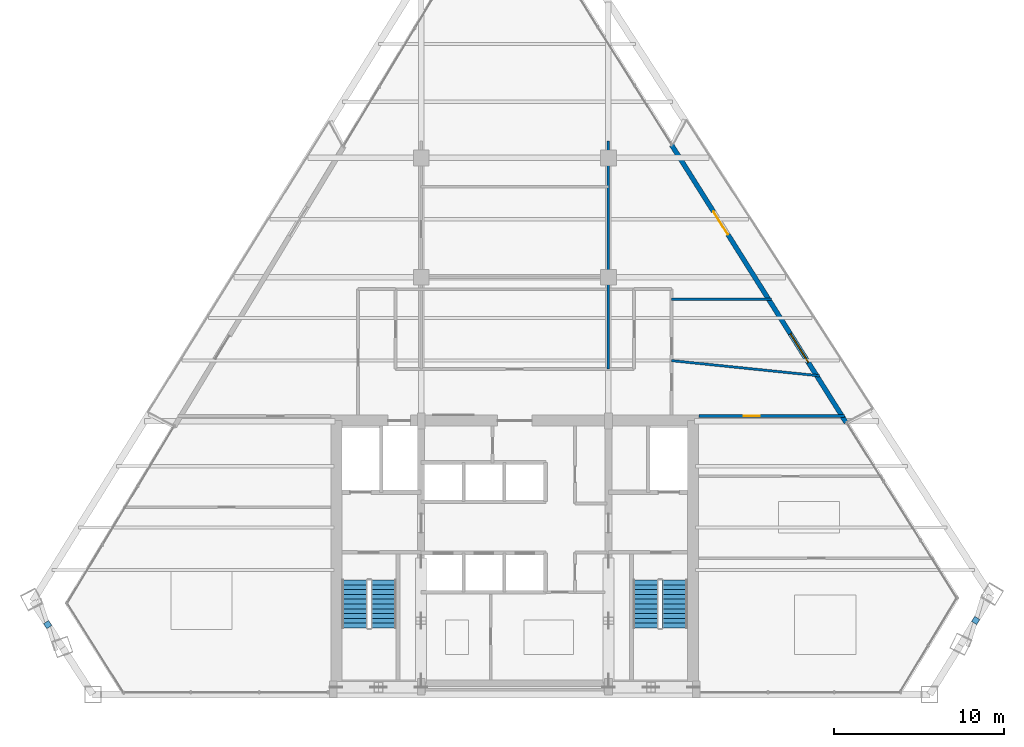
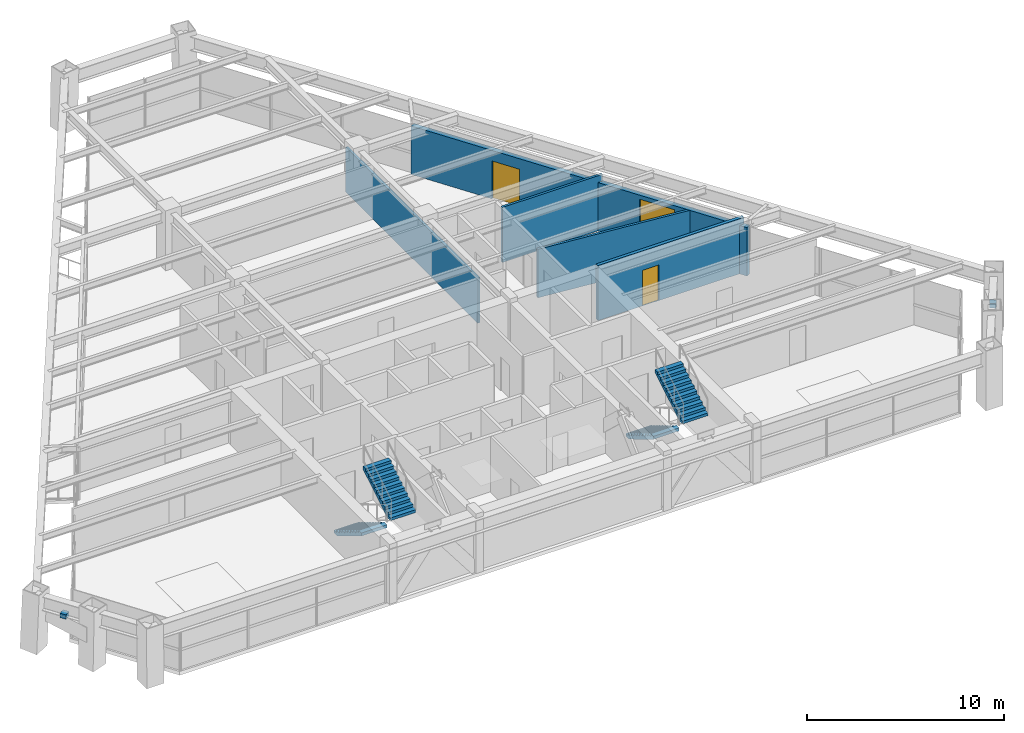
# One storey, part 10 of 12: 5 walls, 4 stair flights, 2 discrete accessories, 2 doors, 1 window, 3 openings, 2 elements without a shape of their own.
"""IFC4 building model written with IfcOpenShell, lengths in metres."""

from ifc_helpers import new_model, si_unit, direction, frame, frame_2d, origin, origin_2d, place, context, subcontext, project, spatial, polyline, rectangle, outline, extrude, source, transform, mapped, material, layer, layer_set, type_object, type_shapes, element, fill, aggregate, save


model = new_model("IFC4")

# Units and contexts
model_context = context("Model", 3, precision=1e-05, world=origin(), true_north=direction((0.0, 1.0)))
body_context = subcontext(model_context, "Body", "Model", "MODEL_VIEW")
ifc_project = project(units=[si_unit("LENGTHUNIT", "METRE"), si_unit("AREAUNIT", "SQUARE_METRE"), si_unit("VOLUMEUNIT", "CUBIC_METRE"), si_unit("PLANEANGLEUNIT", "RADIAN"), si_unit("MASSUNIT", "GRAM", prefix="KILO")], contexts=[model_context])

# Site, building, storey
site_placement = place(None, origin())
site = spatial("IfcSite", under=ifc_project, at=site_placement, CompositionType="ELEMENT")
building_placement = place(site_placement, origin())
building = spatial("IfcBuilding", under=site, at=building_placement, Name="Varnakhor Terracotta Tower", CompositionType="ELEMENT")
storey_placement = place(building_placement, frame((0.0, 0.0, 211.699951171875)))
storey = spatial("IfcBuildingStorey", under=building, at=storey_placement, Name="L54", CompositionType="ELEMENT", Elevation=211.699951171875)

# Wall, opening, door
ifc_material_1 = material(Name="Fire-Rated Gypsum Stud Partition", Category="gypsum")
ifc_layer_1 = layer(ifc_material_1, 0.18505859375, Name="Fire-Rated Gypsum Stud Partition")
ifc_layer_set_1 = layer_set([ifc_layer_1], Name="Fire-Rated Gypsum Stud Partition")
wall_type_1 = type_object("IfcWallType", Name="WAL-CORR-185", PredefinedType="PARTITIONING", material=ifc_layer_set_1)
wall_1_placement = place(storey_placement, frame((10.820068359375, 16.35009765625, 0.0), z_axis=(0.0, 0.0, 1.0), x_axis=(1.0, 0.0, 0.0)))
wall_1 = element("IfcWall", 1, at=wall_1_placement, inside=storey, type_object=wall_type_1, Name="L54 South East Entry Wall", PredefinedType="PARTITIONING", context=body_context, shape_type="SweptSolid", body=[
    extrude(rectangle(XDim=8.548828125, YDim=0.18505859375, at=frame_2d((4.2744140625, 0.0))), origin(), (0.0, 0.0, 1.0), 3.412109375),
])
opening_1_placement = place(wall_1_placement, frame((2.619140625, 0.0, 0.0)))
opening_1 = element("IfcOpeningElement", 2, at=opening_1_placement, cuts=wall_1, Name="Opening DR-94", PredefinedType="OPENING", context=body_context, shape_type="SweptSolid", body=[
    extrude(rectangle(XDim=0.949951171875, YDim=2.199951171875, at=frame_2d((0.47509765625, 1.10009765625))), frame((0.0, 0.1025390625, 0.0), z_axis=(0.0, -1.0, 0.0), x_axis=(1.0, 0.0, 0.0)), (0.0, 0.0, 1.0), 0.205078125),
])
ifc_material_2 = material(Name="Acoustic Glazed-Vision Timber Office Door", Category="wood")
door_type_1 = type_object("IfcDoorType", Name="DR-OFF-950X2200", OperationType="NOTDEFINED", PredefinedType="DOOR", material=ifc_material_2)
shared_shape_1 = source(origin(), body_context, "Body", "SweptSolid", [
    extrude(rectangle(XDim=0.949951171875, YDim=2.199951171875, at=frame_2d((0.47509765625, 1.10009765625))), frame((0.0, 0.02490234375, 0.0), z_axis=(0.0, -1.0, 0.0), x_axis=(1.0, 0.0, 0.0)), (0.0, 0.0, 1.0), 0.050048828125),
])
type_shapes(door_type_1, [shared_shape_1])
door_1_placement = place(opening_1_placement, origin())
door_1 = element("IfcDoor", 3, at=door_1_placement, inside=storey, type_object=door_type_1, Name="L54 SE Suite Door", OperationType="SINGLE_SWING_RIGHT", OverallHeight=2.199951171875, OverallWidth=0.949951171875, PredefinedType="DOOR", context=body_context, shape_type="MappedRepresentation", body=[
    mapped(shared_shape_1, transform((0.0, 0.0, 0.0), scale=1.0)),
])
fill(opening_1, door_1)

# Wall, openings, door, window
ifc_material_3 = material(Name="Extruded Architectural Terracotta Assembly", Category="masonry")
ifc_layer_2 = layer(ifc_material_3, 0.280029296875, Name="Extruded Architectural Terracotta Assembly")
ifc_layer_set_2 = layer_set([ifc_layer_2], Name="Extruded Architectural Terracotta Assembly")
wall_type_2 = type_object("IfcWallType", Name="WAL-EXT-TERRACOTTA-280", PredefinedType="SOLIDWALL", material=ifc_layer_set_2)
wall_2_placement = place(storey_placement, frame((9.20849609375, 32.264892578125, 0.0), z_axis=(0.0, 0.0, 1.0), x_axis=(0.532287601055, -0.84656358873, 0.0)))
wall_2 = element("IfcWall", 4, at=wall_2_placement, inside=storey, type_object=wall_type_2, Name="L54 E Loggia Insulated Terracotta Wall", PredefinedType="SOLIDWALL", context=body_context, shape_type="SweptSolid", body=[
    extrude(rectangle(XDim=19.257080078125, YDim=0.280029296875, at=frame_2d((9.62841796875, 0.0))), origin(), (0.0, 0.0, 1.0), 3.0),
])
opening_2_placement = place(wall_2_placement, frame((4.62158203125, 0.0, 0.0)))
opening_2 = element("IfcOpeningElement", 5, at=opening_2_placement, cuts=wall_2, Name="Opening DR-62", PredefinedType="OPENING", context=body_context, shape_type="SweptSolid", body=[
    extrude(rectangle(XDim=1.60009765625, YDim=2.35009765625, at=frame_2d((0.800048828125, 1.175048828125))), frame((0.0, 0.14990234375, 0.0), z_axis=(0.0, -1.0, 0.0), x_axis=(1.0, 0.0, 0.0)), (0.0, 0.0, 1.0), 0.300048828125),
])
opening_3_placement = place(wall_2_placement, frame((13.0947265625, 0.0, 0.89990234375)))
opening_3 = element("IfcOpeningElement", 6, at=opening_3_placement, cuts=wall_2, Name="Opening WN-26", PredefinedType="OPENING", context=body_context, shape_type="SweptSolid", body=[
    extrude(rectangle(XDim=2.0, YDim=1.85009765625, at=frame_2d((1.0, 0.925048828125))), frame((0.0, 0.14990234375, 0.0), z_axis=(0.0, -1.0, 0.0), x_axis=(1.0, 0.0, 0.0)), (0.0, 0.0, 1.0), 0.300048828125),
])
ifc_material_4 = material(Name="Thermally Broken Sliding Glass Loggia Door", Category="glass")
door_type_2 = type_object("IfcDoorType", Name="DR-EXT-LOGGIA-1600X2350", OperationType="NOTDEFINED", PredefinedType="DOOR", material=ifc_material_4)
shared_shape_2 = source(origin(), body_context, "Body", "SweptSolid", [
    extrude(rectangle(XDim=1.60009765625, YDim=2.35009765625, at=frame_2d((0.800048828125, 1.175048828125))), frame((0.0, 0.02490234375, 0.0), z_axis=(0.0, -1.0, 0.0), x_axis=(1.0, 0.0, 0.0)), (0.0, 0.0, 1.0), 0.050048828125),
])
type_shapes(door_type_2, [shared_shape_2])
door_2_placement = place(opening_2_placement, origin())
door_2 = element("IfcDoor", 7, at=door_2_placement, inside=storey, type_object=door_type_2, Name="L54 E Recessed Loggia Sliding Door", OperationType="SLIDING_TO_RIGHT", OverallHeight=2.35009765625, OverallWidth=1.60009765625, PredefinedType="DOOR", context=body_context, shape_type="MappedRepresentation", body=[
    mapped(shared_shape_2, transform((0.0, 0.0, 0.0), scale=1.0)),
])
fill(opening_2, door_2)
ifc_material_5 = material(Name="Solar-Control Low-E Insulated Glass Unit", Category="glass")
window_type = type_object("IfcWindowType", Name="WIN-OFF-2200X2100", PartitioningType="SINGLE_PANEL", PredefinedType="WINDOW", material=ifc_material_5)
shared_shape_3 = source(origin(), body_context, "Body", "SweptSolid", [
    extrude(rectangle(XDim=2.0, YDim=1.85009765625, at=frame_2d((1.0, 0.925048828125))), frame((0.0, 0.030029296875, 0.0), z_axis=(0.0, -1.0, 0.0), x_axis=(1.0, 0.0, 0.0)), (0.0, 0.0, 1.0), 0.06005859375),
])
type_shapes(window_type, [shared_shape_3])
window_placement = place(opening_3_placement, origin())
window = element("IfcWindow", 8, at=window_placement, inside=storey, type_object=window_type, Name="L54 E Facet Punched Window", OverallHeight=1.85009765625, OverallWidth=2.0, PartitioningType="SINGLE_PANEL", PredefinedType="WINDOW", context=body_context, shape_type="MappedRepresentation", body=[
    mapped(shared_shape_3, transform((0.0, 0.0, 0.0), scale=1.0)),
])
fill(opening_3, window)

# Walls
ifc_material_6 = material(Name="Acoustic Metal-Stud Partition", Category="gypsum")
ifc_layer_3 = layer(ifc_material_6, 0.139892578125, Name="Acoustic Metal-Stud Partition")
ifc_layer_set_3 = layer_set([ifc_layer_3], Name="Acoustic Metal-Stud Partition")
wall_type_3 = type_object("IfcWallType", Name="WAL-PART-140", PredefinedType="PARTITIONING", material=ifc_layer_set_3)
wall_3_placement = place(storey_placement, frame((5.5, 19.10009765625, 0.0), z_axis=(0.0, 0.0, 1.0), x_axis=(0.0, 1.0, 0.0)))
element("IfcWall", 9, at=wall_3_placement, inside=storey, type_object=wall_type_3, Name="L54 Center East Column Wall", PredefinedType="PARTITIONING", context=body_context, shape_type="SweptSolid", body=[
    extrude(rectangle(XDim=13.39990234375, YDim=0.139892578125, at=frame_2d((6.699951171875, 0.0))), origin(), (0.0, 0.0, 1.0), 2.796142578125),
])
wall_4_placement = place(storey_placement, frame((9.199951171875, 19.60009765625, 0.0), z_axis=(0.0, 0.0, 1.0), x_axis=(0.994778090634, -0.102061503002, 0.0)))
element("IfcWall", 10, at=wall_4_placement, inside=storey, type_object=wall_type_3, Name="L54 East Wing Cut 3", PredefinedType="PARTITIONING", context=body_context, shape_type="SweptSolid", body=[
    extrude(rectangle(XDim=8.731201171875, YDim=0.139892578125, at=frame_2d((4.36572265625, 0.0))), origin(), (0.0, 0.0, 1.0), 2.9990234375),
])
wall_5_placement = place(storey_placement, frame((9.199951171875, 23.199951171875, 0.0), z_axis=(0.0, 0.0, 1.0), x_axis=(1.0, 0.0, 0.0)))
element("IfcWall", 11, at=wall_5_placement, inside=storey, type_object=wall_type_3, Name="L54 East Wing Cut 4", PredefinedType="PARTITIONING", context=body_context, shape_type="SweptSolid", body=[
    extrude(rectangle(XDim=5.86181640625, YDim=0.139892578125, at=frame_2d((2.930908203125, 0.0))), origin(), (0.0, 0.0, 1.0), 3.412109375),
])

# Stair, stair flights
ifc_material_7 = material(Name="Concrete C40/50", Category="concrete")
stair_type = type_object("IfcStairType", Name="STR-CORE-OFFICE-1500", PredefinedType="HALF_TURN_STAIR", material=ifc_material_7)
stair_1_placement = place(storey_placement, origin())
stair_1 = element("IfcStair", 12, at=stair_1_placement, inside=storey, type_object=stair_type, Name="L54 Core Exit Stair ST-1", PredefinedType="HALF_TURN_STAIR")
stair_flight_type = type_object("IfcStairFlightType", Name="FLT-CORE-1500", PredefinedType="STRAIGHT", material=ifc_material_7)
stair_flight_1_placement = place(storey_placement, frame((-9.39990234375, 6.7099609375, 0.0), z_axis=(0.0, 0.0, 1.0), x_axis=(0.0, -1.0, 0.0)))
stair_flight_1 = element("IfcStairFlight", 13, at=stair_flight_1_placement, type_object=stair_flight_type, Name="ST-1 flight 1", NumberOfRisers=11, NumberOfTreads=10, PredefinedType="STRAIGHT", RiserHeight=0.168181818, TreadLength=0.28, context=body_context, shape_type="SweptSolid", body=[
    extrude(outline(polyline([(0.0, 0.0), (0.0, 0.168212890625), (0.280029296875, 0.168212890625), (0.280029296875, 0.33642578125), (0.56005859375, 0.33642578125), (0.56005859375, 0.504638671875), (0.840087890625, 0.504638671875), (0.840087890625, 0.672607421875), (1.1201171875, 0.672607421875), (1.1201171875, 0.8408203125), (1.39990234375, 0.8408203125), (1.39990234375, 1.009033203125), (1.679931640625, 1.009033203125), (1.679931640625, 1.17724609375), (1.9599609375, 1.17724609375), (1.9599609375, 1.345458984375), (2.239990234375, 1.345458984375), (2.239990234375, 1.513671875), (2.52001953125, 1.513671875), (2.52001953125, 1.681884765625), (2.800048828125, 1.681884765625), (2.800048828125, 1.85009765625), (2.800048828125, 1.495361328125), (0.310546875, 0.0), (0.0, 0.0)])), frame((0.0, 0.75, 0.0), z_axis=(0.0, -1.0, 0.0), x_axis=(1.0, 0.0, 0.0)), (0.0, 0.0, 1.0), 1.5),
])
stair_flight_2_placement = place(storey_placement, frame((-7.699951171875, 3.909912109375, 1.85009765625), z_axis=(0.0, 0.0, 1.0), x_axis=(0.0, 1.0, 0.0)))
stair_flight_2 = element("IfcStairFlight", 14, at=stair_flight_2_placement, type_object=stair_flight_type, Name="ST-1 flight 2", NumberOfRisers=11, NumberOfTreads=10, PredefinedType="STRAIGHT", RiserHeight=0.168181818, TreadLength=0.28, context=body_context, shape_type="SweptSolid", body=[
    extrude(outline(polyline([(0.0, 0.0), (0.0, 0.168212890625), (0.280029296875, 0.168212890625), (0.280029296875, 0.33642578125), (0.56005859375, 0.33642578125), (0.56005859375, 0.504638671875), (0.840087890625, 0.504638671875), (0.840087890625, 0.672607421875), (1.1201171875, 0.672607421875), (1.1201171875, 0.8408203125), (1.39990234375, 0.8408203125), (1.39990234375, 1.009033203125), (1.679931640625, 1.009033203125), (1.679931640625, 1.17724609375), (1.9599609375, 1.17724609375), (1.9599609375, 1.345458984375), (2.239990234375, 1.345458984375), (2.239990234375, 1.513671875), (2.52001953125, 1.513671875), (2.52001953125, 1.681884765625), (2.800048828125, 1.681884765625), (2.800048828125, 1.85009765625), (2.800048828125, 1.495361328125), (0.310546875, 0.0), (0.0, 0.0)])), frame((0.0, 0.75, 0.0), z_axis=(0.0, -1.0, 0.0), x_axis=(1.0, 0.0, 0.0)), (0.0, 0.0, 1.0), 1.5),
])
aggregate(stair_1, [stair_flight_1, stair_flight_2])

stair_2_placement = place(storey_placement, origin())
stair_2 = element("IfcStair", 15, at=stair_2_placement, inside=storey, type_object=stair_type, Name="L54 Core Exit Stair ST-2", PredefinedType="HALF_TURN_STAIR")
stair_flight_3_placement = place(storey_placement, frame((7.699951171875, 6.7099609375, 0.0), z_axis=(0.0, 0.0, 1.0), x_axis=(0.0, -1.0, 0.0)))
stair_flight_3 = element("IfcStairFlight", 16, at=stair_flight_3_placement, type_object=stair_flight_type, Name="ST-2 flight 1", NumberOfRisers=11, NumberOfTreads=10, PredefinedType="STRAIGHT", RiserHeight=0.168181818, TreadLength=0.28, context=body_context, shape_type="SweptSolid", body=[
    extrude(outline(polyline([(0.0, 0.0), (0.0, 0.168212890625), (0.280029296875, 0.168212890625), (0.280029296875, 0.33642578125), (0.56005859375, 0.33642578125), (0.56005859375, 0.504638671875), (0.840087890625, 0.504638671875), (0.840087890625, 0.672607421875), (1.1201171875, 0.672607421875), (1.1201171875, 0.8408203125), (1.39990234375, 0.8408203125), (1.39990234375, 1.009033203125), (1.679931640625, 1.009033203125), (1.679931640625, 1.17724609375), (1.9599609375, 1.17724609375), (1.9599609375, 1.345458984375), (2.239990234375, 1.345458984375), (2.239990234375, 1.513671875), (2.52001953125, 1.513671875), (2.52001953125, 1.681884765625), (2.800048828125, 1.681884765625), (2.800048828125, 1.85009765625), (2.800048828125, 1.495361328125), (0.310546875, 0.0), (0.0, 0.0)])), frame((0.0, 0.75, 0.0), z_axis=(0.0, -1.0, 0.0), x_axis=(1.0, 0.0, 0.0)), (0.0, 0.0, 1.0), 1.5),
])
stair_flight_4_placement = place(storey_placement, frame((9.39990234375, 3.909912109375, 1.85009765625), z_axis=(0.0, 0.0, 1.0), x_axis=(0.0, 1.0, 0.0)))
stair_flight_4 = element("IfcStairFlight", 17, at=stair_flight_4_placement, type_object=stair_flight_type, Name="ST-2 flight 2", NumberOfRisers=11, NumberOfTreads=10, PredefinedType="STRAIGHT", RiserHeight=0.168181818, TreadLength=0.28, context=body_context, shape_type="SweptSolid", body=[
    extrude(outline(polyline([(0.0, 0.0), (0.0, 0.168212890625), (0.280029296875, 0.168212890625), (0.280029296875, 0.33642578125), (0.56005859375, 0.33642578125), (0.56005859375, 0.504638671875), (0.840087890625, 0.504638671875), (0.840087890625, 0.672607421875), (1.1201171875, 0.672607421875), (1.1201171875, 0.8408203125), (1.39990234375, 0.8408203125), (1.39990234375, 1.009033203125), (1.679931640625, 1.009033203125), (1.679931640625, 1.17724609375), (1.9599609375, 1.17724609375), (1.9599609375, 1.345458984375), (2.239990234375, 1.345458984375), (2.239990234375, 1.513671875), (2.52001953125, 1.513671875), (2.52001953125, 1.681884765625), (2.800048828125, 1.681884765625), (2.800048828125, 1.85009765625), (2.800048828125, 1.495361328125), (0.310546875, 0.0), (0.0, 0.0)])), frame((0.0, 0.75, 0.0), z_axis=(0.0, -1.0, 0.0), x_axis=(1.0, 0.0, 0.0)), (0.0, 0.0, 1.0), 1.5),
])
aggregate(stair_2, [stair_flight_3, stair_flight_4])

# Discrete accessories
ifc_material_8 = material(Name="Stainless Steel Fixing Bracket", Category="steel")
discrete_accessory_type = type_object("IfcDiscreteAccessoryType", Name="BRACKET-TERRACOTTA-SCREEN", PredefinedType="BRACKET", material=ifc_material_8)
shared_shape_4 = source(origin(), body_context, "Body", "SweptSolid", [
    extrude(rectangle(XDim=0.35009765625, YDim=0.35009765625, at=origin_2d()), origin(), (0.0, 0.0, 1.0), 0.280029296875),
])
type_shapes(discrete_accessory_type, [shared_shape_4])
for number, where, z_axis, x_axis, name in (
    (18, (27.0673828125, 4.34326171875, 2.43505859375), (0.0, 0.0, 1.0), (0.52728209201, 0.84969029384, 0.0), "L54 E Screen Fixing Bracket"),
    (19, (-27.4267578125, 4.098388671875, 2.43505859375), (0.0, 0.0, 1.0), (0.541737551262, -0.8405476938, 0.0), "L54 W Screen Fixing Bracket"),
):
    element("IfcDiscreteAccessory", number, at=place(storey_placement, frame(where, z_axis=z_axis, x_axis=x_axis)), inside=storey, type_object=discrete_accessory_type, Name=name, PredefinedType="BRACKET", context=body_context, shape_type="MappedRepresentation", body=[
        mapped(shared_shape_4, transform((0.0, 0.0, 0.0), scale=1.0)),
    ])

save(model, "model.ifc")
